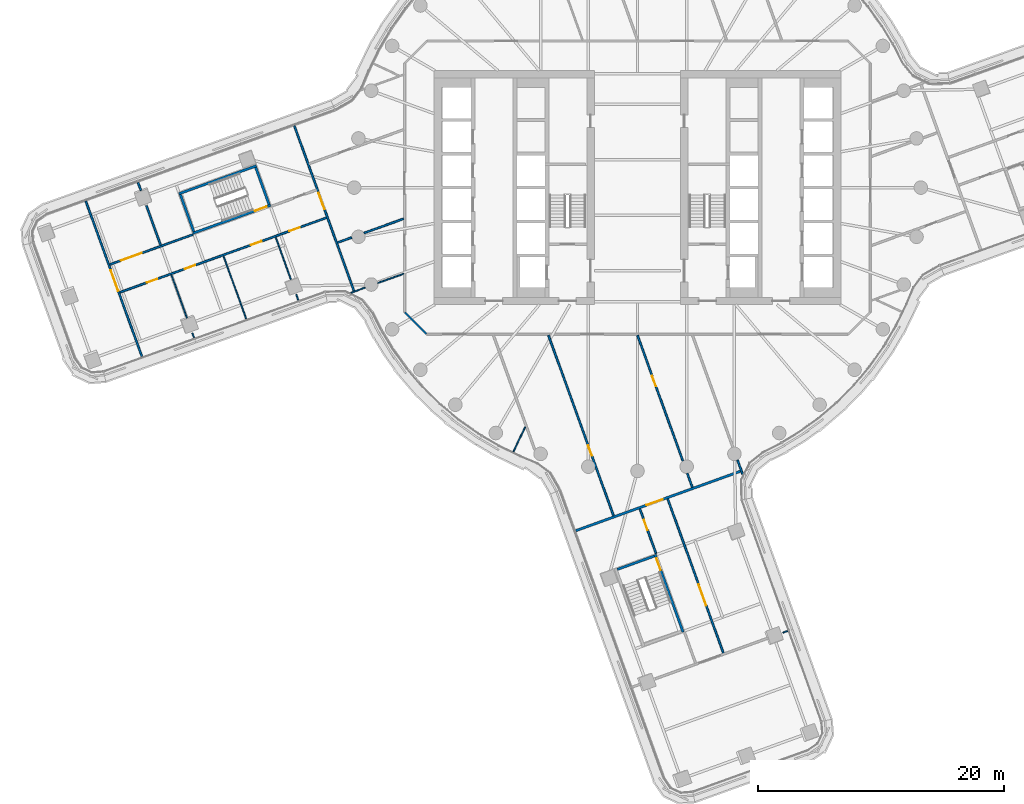
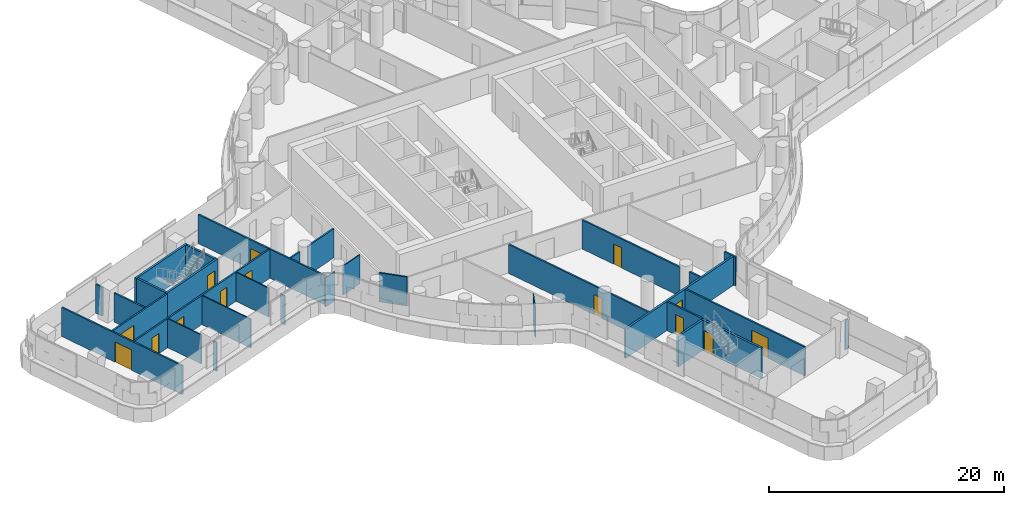
# One storey, part 18 of 30: 31 walls, 14 doors, 14 openings.
"""IFC4 building model written with IfcOpenShell, lengths in metres."""

from ifc_helpers import new_model, si_unit, direction, frame, frame_2d, origin, place, context, subcontext, project, spatial, polyline, rectangle, outline, extrude, material, layer, layer_set, type_object, element, fill, save


model = new_model("IFC4")

# Units and contexts
model_context = context("Model", 3, precision=1e-05, world=origin(), true_north=direction((0.0, 1.0)))
body_context = subcontext(model_context, "Body", "Model", "MODEL_VIEW")
ifc_project = project(units=[si_unit("LENGTHUNIT", "METRE"), si_unit("AREAUNIT", "SQUARE_METRE"), si_unit("VOLUMEUNIT", "CUBIC_METRE"), si_unit("PLANEANGLEUNIT", "RADIAN"), si_unit("MASSUNIT", "GRAM", prefix="KILO")], contexts=[model_context])

# Site, building, storey
site_placement = place(None, origin())
site = spatial("IfcSite", under=ifc_project, at=site_placement, CompositionType="ELEMENT")
building_placement = place(site_placement, origin())
building = spatial("IfcBuilding", under=site, at=building_placement, Name="Tamarind Cross Interchange Tower", CompositionType="ELEMENT")
storey_placement = place(building_placement, frame((0.0, 0.0, 106.0)))
storey = spatial("IfcBuildingStorey", under=building, at=storey_placement, Name="L25", CompositionType="ELEMENT", Elevation=106.0)

# Walls
ifc_material_1 = material(Name="Gypsum board partition on steel studs", Category="steel")
ifc_layer_1 = layer(ifc_material_1, 0.10009765625)
ifc_layer_set_1 = layer_set([ifc_layer_1], Name="Gypsum board partition on steel studs")
wall_type_1 = type_object("IfcWallType", Name="Partition 100 mm EI 90", PredefinedType="PARTITIONING", material=ifc_layer_set_1)
wall_1_placement = place(storey_placement, frame((-37.83837890625, -7.073486328125, 0.0), z_axis=(0.0, 0.0, 1.0), x_axis=(0.339623547157, -0.940561452653, 0.0)))
element("IfcWall", 1, at=wall_1_placement, inside=storey, type_object=wall_type_1, Name="Partition L25-004", PredefinedType="PARTITIONING", context=body_context, shape_type="SweptSolid", body=[
    extrude(rectangle(XDim=3.728759765625, YDim=0.10009765625, at=frame_2d((1.8642578125, 0.0))), origin(), (0.0, 0.0, 1.0), 3.010009765625),
])
wall_2_placement = place(storey_placement, frame((-36.130859375, -11.80224609375, 0.0), z_axis=(0.0, 0.0, 1.0), x_axis=(0.339248157603, -0.940696915889, 0.0)))
element("IfcWall", 2, at=wall_2_placement, inside=storey, type_object=wall_type_1, Name="Partition L25-005", PredefinedType="PARTITIONING", context=body_context, shape_type="SweptSolid", body=[
    extrude(rectangle(XDim=0.40869140625, YDim=0.10009765625, at=frame_2d((0.204345703125, 0.0))), origin(), (0.0, 0.0, 1.0), 3.010009765625),
])
wall_3_placement = place(storey_placement, frame((-33.6064453125, -5.54541015625, 0.0), z_axis=(0.0, 0.0, 1.0), x_axis=(0.339516614383, -0.940600057707, 0.0)))
element("IfcWall", 3, at=wall_3_placement, inside=storey, type_object=wall_type_1, Name="Partition L25-006", PredefinedType="PARTITIONING", context=body_context, shape_type="SweptSolid", body=[
    extrude(rectangle(XDim=5.443359375, YDim=0.10009765625, at=frame_2d((2.7216796875, 0.0))), origin(), (0.0, 0.0, 1.0), 3.010009765625),
])
wall_4_placement = place(storey_placement, frame((-29.37353515625, -4.017578125, 0.0), z_axis=(0.0, 0.0, 1.0), x_axis=(0.339511197123, -0.94060201309, 0.0)))
element("IfcWall", 4, at=wall_4_placement, inside=storey, type_object=wall_type_1, Name="Partition L25-007", PredefinedType="PARTITIONING", context=body_context, shape_type="SweptSolid", body=[
    extrude(rectangle(XDim=3.646484375, YDim=0.10009765625, at=frame_2d((1.8232421875, 0.0))), origin(), (0.0, 0.0, 1.0), 3.010009765625),
])
wall_5_placement = place(storey_placement, frame((-27.694580078125, -8.669189453125, 0.0), z_axis=(0.0, 0.0, 1.0), x_axis=(0.339061997741, -0.940764030822, 0.0)))
element("IfcWall", 5, at=wall_5_placement, inside=storey, type_object=wall_type_1, Name="Partition L25-008", PredefinedType="PARTITIONING", context=body_context, shape_type="SweptSolid", body=[
    extrude(rectangle(XDim=0.504638671875, YDim=0.10009765625, at=frame_2d((0.25244140625, 0.0))), origin(), (0.0, 0.0, 1.0), 3.010009765625),
])
wall_6_placement = place(storey_placement, frame((-23.26318359375, -8.53564453125, 0.0), z_axis=(0.0, 0.0, 1.0), x_axis=(0.940619022918, 0.339464068385, 0.0)))
element("IfcWall", 6, at=wall_6_placement, inside=storey, type_object=wall_type_1, Name="Partition L25-048", PredefinedType="PARTITIONING", context=body_context, shape_type="SweptSolid", body=[
    extrude(rectangle(XDim=1.23046875, YDim=0.10009765625, at=frame_2d((0.615234375, 0.0))), origin(), (0.0, 0.0, 1.0), 3.010009765625),
])
wall_7_placement = place(storey_placement, frame((-21.084228515625, -7.749267578125, 0.0), z_axis=(0.0, 0.0, 1.0), x_axis=(0.940645654614, 0.339390265706, 0.0)))
element("IfcWall", 7, at=wall_7_placement, inside=storey, type_object=wall_type_1, Name="Partition L25-049", PredefinedType="PARTITIONING", context=body_context, shape_type="SweptSolid", body=[
    extrude(rectangle(XDim=2.2421875, YDim=0.10009765625, at=frame_2d((1.12109375, 0.0))), origin(), (0.0, 0.0, 1.0), 3.010009765625),
])
wall_8_placement = place(storey_placement, frame((11.802734375, -36.132080078125, 0.0), z_axis=(0.0, 0.0, 1.0), x_axis=(0.940628118765, 0.339438863697, 0.0)))
element("IfcWall", 8, at=wall_8_placement, inside=storey, type_object=wall_type_1, Name="Partition L25-061", PredefinedType="PARTITIONING", context=body_context, shape_type="SweptSolid", body=[
    extrude(rectangle(XDim=0.408447265625, YDim=0.10009765625, at=frame_2d((0.2041015625, 0.0))), origin(), (0.0, 0.0, 1.0), 3.010009765625),
])
wall_9_placement = place(storey_placement, frame((-10.061279296875, -21.431884765625, 0.0), z_axis=(0.0, 0.0, 1.0), x_axis=(0.424984109226, 0.905200810265, 0.0)))
element("IfcWall", 9, at=wall_9_placement, inside=storey, type_object=wall_type_1, Name="Partition L25-073", PredefinedType="PARTITIONING", context=body_context, shape_type="SweptSolid", body=[
    extrude(rectangle(XDim=2.227783203125, YDim=0.10009765625, at=frame_2d((1.11376953125, 0.0))), origin(), (0.0, 0.0, 1.0), 3.010009765625),
])

# Wall, opening, door
ifc_layer_2 = layer(ifc_material_1, 0.14990234375)
ifc_layer_set_2 = layer_set([ifc_layer_2], Name="Gypsum board partition on steel studs")
wall_type_2 = type_object("IfcWallType", Name="Partition 150 mm EI 120", PredefinedType="PARTITIONING", material=ifc_layer_set_2)
wall_10_placement = place(storey_placement, frame((-44.77978515625, -1.10205078125, 0.0), z_axis=(0.0, 0.0, 1.0), x_axis=(0.339568816521, -0.940581213318, 0.0)))
wall_10 = element("IfcWall", 10, at=wall_10_placement, inside=storey, type_object=wall_type_2, Name="Partition L25-001", PredefinedType="PARTITIONING", context=body_context, shape_type="SweptSolid", body=[
    extrude(rectangle(XDim=13.403076171875, YDim=0.14990234375, at=frame_2d((6.70166015625, 0.0))), origin(), (0.0, 0.0, 1.0), 3.010009765625),
])
opening_1_placement = place(wall_10_placement, frame((5.948974609375, 0.0, 0.0)))
opening_1 = element("IfcOpeningElement", 11, at=opening_1_placement, cuts=wall_10, Name="Opening D01", PredefinedType="OPENING", context=body_context, shape_type="SweptSolid", body=[
    extrude(rectangle(XDim=1.800048828125, YDim=2.10009765625, at=frame_2d((0.89990234375, 1.050048828125))), frame((0.0, 0.0849609375, 0.0), z_axis=(0.0, -1.0, 0.0), x_axis=(1.0, 0.0, 0.0)), (0.0, 0.0, 1.0), 0.169921875),
])
ifc_material_2 = material(Name="Fire-resisting door set")
door_type_1 = type_object("IfcDoorType", Name="Interior door 1800 x 2100 FD60S", OperationType="DOUBLE_DOOR_SINGLE_SWING", PredefinedType="DOOR", material=ifc_material_2)
door_1_placement = place(opening_1_placement, frame((1.800048828125, 0.0, 0.0), z_axis=(0.0, 0.0, 1.0), x_axis=(-1.0, 0.0, 0.0)))
door_1 = element("IfcDoor", 12, at=door_1_placement, inside=storey, type_object=door_type_1, Name="Door D01", OperationType="DOUBLE_DOOR_SINGLE_SWING", OverallHeight=2.10009765625, OverallWidth=1.800048828125, PredefinedType="DOOR", context=body_context, shape_type="SweptSolid", body=[
    extrude(rectangle(XDim=1.800048828125, YDim=2.10009765625, at=frame_2d((0.89990234375, 1.050048828125))), frame((0.0, 0.02490234375, 0.0), z_axis=(0.0, -1.0, 0.0), x_axis=(1.0, 0.0, 0.0)), (0.0, 0.0, 1.0), 0.050048828125),
])
fill(opening_1, door_1)

# Walls
wall_11_placement = place(storey_placement, frame((-40.546630859375, 0.42626953125, 0.0), z_axis=(0.0, 0.0, 1.0), x_axis=(0.339484354538, -0.940611701513, 0.0)))
element("IfcWall", 13, at=wall_11_placement, inside=storey, type_object=wall_type_2, Name="Partition L25-002", PredefinedType="PARTITIONING", context=body_context, shape_type="SweptSolid", body=[
    extrude(rectangle(XDim=0.7119140625, YDim=0.14990234375, at=frame_2d((0.35595703125, 0.0))), origin(), (0.0, 0.0, 1.0), 3.010009765625),
])
wall_12_placement = place(storey_placement, frame((-39.86376953125, -1.465087890625, 0.0), z_axis=(0.0, 0.0, 1.0), x_axis=(0.339596938308, -0.940571060309, 0.0)))
element("IfcWall", 14, at=wall_12_placement, inside=storey, type_object=wall_type_2, Name="Partition L25-003", PredefinedType="PARTITIONING", context=body_context, shape_type="SweptSolid", body=[
    extrude(rectangle(XDim=3.408447265625, YDim=0.14990234375, at=frame_2d((1.7041015625, 0.0))), origin(), (0.0, 0.0, 1.0), 3.010009765625),
])

# Wall, opening, door
wall_13_placement = place(storey_placement, frame((-27.848876953125, 5.010498046875, 0.0), z_axis=(0.0, 0.0, 1.0), x_axis=(0.339486516138, -0.940610921349, 0.0)))
wall_13 = element("IfcWall", 15, at=wall_13_placement, inside=storey, type_object=wall_type_2, Name="Partition L25-009", PredefinedType="PARTITIONING", context=body_context, shape_type="SweptSolid", body=[
    extrude(rectangle(XDim=14.244140625, YDim=0.14990234375, at=frame_2d((7.1220703125, 0.0))), origin(), (0.0, 0.0, 1.0), 3.010009765625),
])
opening_2_placement = place(wall_13_placement, frame((5.79931640625, 0.0, 0.0)))
opening_2 = element("IfcOpeningElement", 16, at=opening_2_placement, cuts=wall_13, Name="Opening D02", PredefinedType="OPENING", context=body_context, shape_type="SweptSolid", body=[
    extrude(rectangle(XDim=1.39990234375, YDim=2.10009765625, at=frame_2d((0.699951171875, 1.050048828125))), frame((0.0, 0.0849609375, 0.0), z_axis=(0.0, -1.0, 0.0), x_axis=(1.0, 0.0, 0.0)), (0.0, 0.0, 1.0), 0.169921875),
])
door_type_2 = type_object("IfcDoorType", Name="Interior door 1400 x 2100 FD60S", OperationType="DOUBLE_DOOR_SINGLE_SWING", PredefinedType="DOOR", material=ifc_material_2)
door_2_placement = place(opening_2_placement, origin())
door_2 = element("IfcDoor", 17, at=door_2_placement, inside=storey, type_object=door_type_2, Name="Door D02", OperationType="DOUBLE_DOOR_SINGLE_SWING", OverallHeight=2.10009765625, OverallWidth=1.39990234375, PredefinedType="DOOR", context=body_context, shape_type="SweptSolid", body=[
    extrude(rectangle(XDim=1.39990234375, YDim=2.10009765625, at=frame_2d((0.699951171875, 1.050048828125))), frame((0.0, 0.02490234375, 0.0), z_axis=(0.0, -1.0, 0.0), x_axis=(1.0, 0.0, 0.0)), (0.0, 0.0, 1.0), 0.050048828125),
])
fill(opening_2, door_2)

wall_14_placement = place(storey_placement, frame((-7.23046875, -11.984619140625, 0.0), z_axis=(0.0, 0.0, 1.0), x_axis=(0.339539694363, -0.940591726495, 0.0)))
wall_14 = element("IfcWall", 18, at=wall_14_placement, inside=storey, type_object=wall_type_2, Name="Partition L25-014", PredefinedType="PARTITIONING", context=body_context, shape_type="SweptSolid", body=[
    extrude(rectangle(XDim=15.57568359375, YDim=0.14990234375, at=frame_2d((7.787841796875, 0.0))), origin(), (0.0, 0.0, 1.0), 3.010009765625),
])
opening_3_placement = place(wall_14_placement, frame((9.510009765625, 0.0, 0.0)))
opening_3 = element("IfcOpeningElement", 19, at=opening_3_placement, cuts=wall_14, Name="Opening D03", PredefinedType="OPENING", context=body_context, shape_type="SweptSolid", body=[
    extrude(rectangle(XDim=0.89990234375, YDim=2.10009765625, at=frame_2d((0.449951171875, 1.050048828125))), frame((0.0, 0.0849609375, 0.0), z_axis=(0.0, -1.0, 0.0), x_axis=(1.0, 0.0, 0.0)), (0.0, 0.0, 1.0), 0.169921875),
])
door_type_3 = type_object("IfcDoorType", Name="Interior door 900 x 2100 FD60S", OperationType="SINGLE_SWING_LEFT", PredefinedType="DOOR", material=ifc_material_2)
door_3_placement = place(opening_3_placement, frame((0.89990234375, 0.0, 0.0), z_axis=(0.0, 0.0, 1.0), x_axis=(-1.0, 0.0, 0.0)))
door_3 = element("IfcDoor", 20, at=door_3_placement, inside=storey, type_object=door_type_3, Name="Door D03", OperationType="SINGLE_SWING_RIGHT", OverallHeight=2.10009765625, OverallWidth=0.89990234375, PredefinedType="DOOR", context=body_context, shape_type="SweptSolid", body=[
    extrude(rectangle(XDim=0.89990234375, YDim=2.10009765625, at=frame_2d((0.449951171875, 1.050048828125))), frame((0.0, 0.02490234375, 0.0), z_axis=(0.0, -1.0, 0.0), x_axis=(1.0, 0.0, 0.0)), (0.0, 0.0, 1.0), 0.050048828125),
])
fill(opening_3, door_3)

wall_15_placement = place(storey_placement, frame((-0.00146484375, -11.984619140625, 0.0), z_axis=(0.0, 0.0, 1.0), x_axis=(0.339584222286, -0.940575651383, 0.0)))
wall_15 = element("IfcWall", 21, at=wall_15_placement, inside=storey, type_object=wall_type_2, Name="Partition L25-020", PredefinedType="PARTITIONING", context=body_context, shape_type="SweptSolid", body=[
    extrude(rectangle(XDim=10.855224609375, YDim=0.14990234375, at=frame_2d((5.427734375, 0.0))), origin(), (0.0, 0.0, 1.0), 3.010009765625),
])
opening_4_placement = place(wall_15_placement, frame((3.510009765625, 0.0, 0.0)))
opening_4 = element("IfcOpeningElement", 22, at=opening_4_placement, cuts=wall_15, Name="Opening D10", PredefinedType="OPENING", context=body_context, shape_type="SweptSolid", body=[
    extrude(rectangle(XDim=0.89990234375, YDim=2.10009765625, at=frame_2d((0.449951171875, 1.050048828125))), frame((0.0, 0.0849609375, 0.0), z_axis=(0.0, -1.0, 0.0), x_axis=(1.0, 0.0, 0.0)), (0.0, 0.0, 1.0), 0.169921875),
])
door_4_placement = place(opening_4_placement, origin())
door_4 = element("IfcDoor", 23, at=door_4_placement, inside=storey, type_object=door_type_3, Name="Door D10", OperationType="SINGLE_SWING_RIGHT", OverallHeight=2.10009765625, OverallWidth=0.89990234375, PredefinedType="DOOR", context=body_context, shape_type="SweptSolid", body=[
    extrude(rectangle(XDim=0.89990234375, YDim=2.10009765625, at=frame_2d((0.449951171875, 1.050048828125))), frame((0.0, 0.02490234375, 0.0), z_axis=(0.0, -1.0, 0.0), x_axis=(1.0, 0.0, 0.0)), (0.0, 0.0, 1.0), 0.050048828125),
])
fill(opening_4, door_4)

# Wall
wall_16_placement = place(storey_placement, frame((4.04638671875, -23.196533203125, 0.0), z_axis=(0.0, 0.0, 1.0), x_axis=(0.339554526874, -0.940586372046, 0.0)))
element("IfcWall", 24, at=wall_16_placement, inside=storey, type_object=wall_type_2, Name="Partition L25-021", PredefinedType="PARTITIONING", context=body_context, shape_type="SweptSolid", body=[
    extrude(rectangle(XDim=1.20068359375, YDim=0.14990234375, at=frame_2d((0.600341796875, 0.0))), origin(), (0.0, 0.0, 1.0), 3.010009765625),
])

# Wall, opening, door
wall_17_placement = place(storey_placement, frame((0.196044921875, -26.076171875, 0.0), z_axis=(0.0, 0.0, 1.0), x_axis=(0.339512328503, -0.940601604716, 0.0)))
wall_17 = element("IfcWall", 25, at=wall_17_placement, inside=storey, type_object=wall_type_2, Name="Partition L25-022", PredefinedType="PARTITIONING", context=body_context, shape_type="SweptSolid", body=[
    extrude(rectangle(XDim=3.859375, YDim=0.14990234375, at=frame_2d((1.9296875, 0.0))), origin(), (0.0, 0.0, 1.0), 3.010009765625),
])
opening_5_placement = place(wall_17_placement, frame((0.949951171875, 0.0, 0.0)))
opening_5 = element("IfcOpeningElement", 26, at=opening_5_placement, cuts=wall_17, Name="Opening D11", PredefinedType="OPENING", context=body_context, shape_type="SweptSolid", body=[
    extrude(rectangle(XDim=0.89990234375, YDim=2.10009765625, at=frame_2d((0.449951171875, 1.050048828125))), frame((0.0, 0.0849609375, 0.0), z_axis=(0.0, -1.0, 0.0), x_axis=(1.0, 0.0, 0.0)), (0.0, 0.0, 1.0), 0.169921875),
])
door_5_placement = place(opening_5_placement, frame((0.89990234375, 0.0, 0.0), z_axis=(0.0, 0.0, 1.0), x_axis=(-1.0, 0.0, 0.0)))
door_5 = element("IfcDoor", 27, at=door_5_placement, inside=storey, type_object=door_type_3, Name="Door D11", OperationType="SINGLE_SWING_LEFT", OverallHeight=2.10009765625, OverallWidth=0.89990234375, PredefinedType="DOOR", context=body_context, shape_type="SweptSolid", body=[
    extrude(rectangle(XDim=0.89990234375, YDim=2.10009765625, at=frame_2d((0.449951171875, 1.050048828125))), frame((0.0, 0.02490234375, 0.0), z_axis=(0.0, -1.0, 0.0), x_axis=(1.0, 0.0, 0.0)), (0.0, 0.0, 1.0), 0.050048828125),
])
fill(opening_5, door_5)

wall_18_placement = place(storey_placement, frame((2.45458984375, -25.265869140625, 0.0), z_axis=(0.0, 0.0, 1.0), x_axis=(0.339584555369, -0.940575531127, 0.0)))
wall_18 = element("IfcWall", 28, at=wall_18_placement, inside=storey, type_object=wall_type_2, Name="Partition L25-025", PredefinedType="PARTITIONING", context=body_context, shape_type="SweptSolid", body=[
    extrude(rectangle(XDim=13.319091796875, YDim=0.14990234375, at=frame_2d((6.65966796875, 0.0))), origin(), (0.0, 0.0, 1.0), 3.010009765625),
])
opening_6_placement = place(wall_18_placement, frame((7.39501953125, 0.0, 0.0)))
opening_6 = element("IfcOpeningElement", 29, at=opening_6_placement, cuts=wall_18, Name="Opening D13", PredefinedType="OPENING", context=body_context, shape_type="SweptSolid", body=[
    extrude(rectangle(XDim=1.800048828125, YDim=2.10009765625, at=frame_2d((0.89990234375, 1.050048828125))), frame((0.0, 0.0849609375, 0.0), z_axis=(0.0, -1.0, 0.0), x_axis=(1.0, 0.0, 0.0)), (0.0, 0.0, 1.0), 0.169921875),
])
door_6_placement = place(opening_6_placement, frame((1.800048828125, 0.0, 0.0), z_axis=(0.0, 0.0, 1.0), x_axis=(-1.0, 0.0, 0.0)))
door_6 = element("IfcDoor", 30, at=door_6_placement, inside=storey, type_object=door_type_1, Name="Door D13", OperationType="DOUBLE_DOOR_SINGLE_SWING", OverallHeight=2.10009765625, OverallWidth=1.800048828125, PredefinedType="DOOR", context=body_context, shape_type="SweptSolid", body=[
    extrude(rectangle(XDim=1.800048828125, YDim=2.10009765625, at=frame_2d((0.89990234375, 1.050048828125))), frame((0.0, 0.02490234375, 0.0), z_axis=(0.0, -1.0, 0.0), x_axis=(1.0, 0.0, 0.0)), (0.0, 0.0, 1.0), 0.050048828125),
])
fill(opening_6, door_6)

# Walls
wall_19_placement = place(storey_placement, frame((8.118408203125, -22.10546875, 0.0), z_axis=(0.0, 0.0, 1.0), x_axis=(0.339654219986, -0.940550376559, 0.0)))
element("IfcWall", 31, at=wall_19_placement, inside=storey, type_object=wall_type_2, Name="Partition L25-028", PredefinedType="PARTITIONING", context=body_context, shape_type="SweptSolid", body=[
    extrude(rectangle(XDim=1.229736328125, YDim=0.14990234375, at=frame_2d((0.61474609375, 0.0))), origin(), (0.0, 0.0, 1.0), 3.010009765625),
])
wall_20_placement = place(storey_placement, frame((-18.87158203125, -10.12841796875, 0.0), z_axis=(0.0, 0.0, 1.0), x_axis=(0.707106781187, -0.707106781187, 0.0)))
element("IfcWall", 32, at=wall_20_placement, inside=storey, type_object=wall_type_2, Name="Partition L25-036", PredefinedType="PARTITIONING", context=body_context, shape_type="SweptSolid", body=[
    extrude(rectangle(XDim=2.465087890625, YDim=0.14990234375, at=frame_2d((1.232421875, 0.0))), origin(), (0.0, 0.0, 1.0), 3.010009765625),
])

# Wall, opening, door
wall_21_placement = place(storey_placement, frame((-42.841552734375, -6.24853515625, 0.0), z_axis=(0.0, 0.0, 1.0), x_axis=(0.940585555653, 0.339556788325, 0.0)))
wall_21 = element("IfcWall", 33, at=wall_21_placement, inside=storey, type_object=wall_type_2, Name="Partition L25-042", PredefinedType="PARTITIONING", context=body_context, shape_type="SweptSolid", body=[
    extrude(rectangle(XDim=7.18505859375, YDim=0.14990234375, at=frame_2d((3.592529296875, 0.0))), origin(), (0.0, 0.0, 1.0), 3.010009765625),
])
opening_7_placement = place(wall_21_placement, frame((0.97509765625, 0.0, 0.0)))
opening_7 = element("IfcOpeningElement", 34, at=opening_7_placement, cuts=wall_21, Name="Opening D23", PredefinedType="OPENING", context=body_context, shape_type="SweptSolid", body=[
    extrude(rectangle(XDim=1.800048828125, YDim=2.10009765625, at=frame_2d((0.89990234375, 1.050048828125))), frame((0.0, 0.0849609375, 0.0), z_axis=(0.0, -1.0, 0.0), x_axis=(1.0, 0.0, 0.0)), (0.0, 0.0, 1.0), 0.169921875),
])
door_7_placement = place(opening_7_placement, origin())
door_7 = element("IfcDoor", 35, at=door_7_placement, inside=storey, type_object=door_type_1, Name="Door D23", OperationType="DOUBLE_DOOR_SINGLE_SWING", OverallHeight=2.10009765625, OverallWidth=1.800048828125, PredefinedType="DOOR", context=body_context, shape_type="SweptSolid", body=[
    extrude(rectangle(XDim=1.800048828125, YDim=2.10009765625, at=frame_2d((0.89990234375, 1.050048828125))), frame((0.0, 0.02490234375, 0.0), z_axis=(0.0, -1.0, 0.0), x_axis=(1.0, 0.0, 0.0)), (0.0, 0.0, 1.0), 0.050048828125),
])
fill(opening_7, door_7)

# Wall, openings, doors
wall_22_placement = place(storey_placement, frame((-42.026611328125, -8.506591796875, 0.0), z_axis=(0.0, 0.0, 1.0), x_axis=(0.940523059572, 0.33972985505, 0.0)))
wall_22 = element("IfcWall", 36, at=wall_22_placement, inside=storey, type_object=wall_type_2, Name="Partition L25-044", PredefinedType="PARTITIONING", context=body_context, shape_type="SweptSolid", body=[
    extrude(rectangle(XDim=17.844970703125, YDim=0.14990234375, at=frame_2d((8.92236328125, 0.0))), origin(), (0.0, 0.0, 1.0), 3.010009765625),
])
opening_8_placement = place(wall_22_placement, frame((14.62548828125, 0.0, 0.0)))
opening_8 = element("IfcOpeningElement", 37, at=opening_8_placement, cuts=wall_22, Name="Opening D25", PredefinedType="OPENING", context=body_context, shape_type="SweptSolid", body=[
    extrude(rectangle(XDim=0.89990234375, YDim=2.10009765625, at=frame_2d((0.449951171875, 1.050048828125))), frame((0.0, 0.0849609375, 0.0), z_axis=(0.0, -1.0, 0.0), x_axis=(1.0, 0.0, 0.0)), (0.0, 0.0, 1.0), 0.169921875),
])
opening_9_placement = place(wall_22_placement, frame((11.3251953125, 0.0, 0.0)))
opening_9 = element("IfcOpeningElement", 38, at=opening_9_placement, cuts=wall_22, Name="Opening D26", PredefinedType="OPENING", context=body_context, shape_type="SweptSolid", body=[
    extrude(rectangle(XDim=0.89990234375, YDim=2.10009765625, at=frame_2d((0.449951171875, 1.050048828125))), frame((0.0, 0.0849609375, 0.0), z_axis=(0.0, -1.0, 0.0), x_axis=(1.0, 0.0, 0.0)), (0.0, 0.0, 1.0), 0.169921875),
])
opening_10_placement = place(wall_22_placement, frame((5.625732421875, 0.0, 0.0)))
opening_10 = element("IfcOpeningElement", 39, at=opening_10_placement, cuts=wall_22, Name="Opening D27", PredefinedType="OPENING", context=body_context, shape_type="SweptSolid", body=[
    extrude(rectangle(XDim=0.89990234375, YDim=2.10009765625, at=frame_2d((0.449951171875, 1.050048828125))), frame((0.0, 0.0849609375, 0.0), z_axis=(0.0, -1.0, 0.0), x_axis=(1.0, 0.0, 0.0)), (0.0, 0.0, 1.0), 0.169921875),
])
opening_11_placement = place(wall_22_placement, frame((2.324951171875, 0.0, 0.0)))
opening_11 = element("IfcOpeningElement", 40, at=opening_11_placement, cuts=wall_22, Name="Opening D28", PredefinedType="OPENING", context=body_context, shape_type="SweptSolid", body=[
    extrude(rectangle(XDim=0.89990234375, YDim=2.10009765625, at=frame_2d((0.449951171875, 1.050048828125))), frame((0.0, 0.0849609375, 0.0), z_axis=(0.0, -1.0, 0.0), x_axis=(1.0, 0.0, 0.0)), (0.0, 0.0, 1.0), 0.169921875),
])
door_8_placement = place(opening_8_placement, frame((0.89990234375, 0.0, 0.0), z_axis=(0.0, 0.0, 1.0), x_axis=(-1.0, 0.0, 0.0)))
door_8 = element("IfcDoor", 41, at=door_8_placement, inside=storey, type_object=door_type_3, Name="Door D25", OperationType="SINGLE_SWING_RIGHT", OverallHeight=2.10009765625, OverallWidth=0.89990234375, PredefinedType="DOOR", context=body_context, shape_type="SweptSolid", body=[
    extrude(rectangle(XDim=0.89990234375, YDim=2.10009765625, at=frame_2d((0.449951171875, 1.050048828125))), frame((0.0, 0.02490234375, 0.0), z_axis=(0.0, -1.0, 0.0), x_axis=(1.0, 0.0, 0.0)), (0.0, 0.0, 1.0), 0.050048828125),
])
fill(opening_8, door_8)
door_9_placement = place(opening_9_placement, frame((0.89990234375, 0.0, 0.0), z_axis=(0.0, 0.0, 1.0), x_axis=(-1.0, 0.0, 0.0)))
door_9 = element("IfcDoor", 42, at=door_9_placement, inside=storey, type_object=door_type_3, Name="Door D26", OperationType="SINGLE_SWING_RIGHT", OverallHeight=2.10009765625, OverallWidth=0.89990234375, PredefinedType="DOOR", context=body_context, shape_type="SweptSolid", body=[
    extrude(rectangle(XDim=0.89990234375, YDim=2.10009765625, at=frame_2d((0.449951171875, 1.050048828125))), frame((0.0, 0.02490234375, 0.0), z_axis=(0.0, -1.0, 0.0), x_axis=(1.0, 0.0, 0.0)), (0.0, 0.0, 1.0), 0.050048828125),
])
fill(opening_9, door_9)
door_10_placement = place(opening_10_placement, frame((0.89990234375, 0.0, 0.0), z_axis=(0.0, 0.0, 1.0), x_axis=(-1.0, 0.0, 0.0)))
door_10 = element("IfcDoor", 43, at=door_10_placement, inside=storey, type_object=door_type_3, Name="Door D27", OperationType="SINGLE_SWING_LEFT", OverallHeight=2.10009765625, OverallWidth=0.89990234375, PredefinedType="DOOR", context=body_context, shape_type="SweptSolid", body=[
    extrude(rectangle(XDim=0.89990234375, YDim=2.10009765625, at=frame_2d((0.449951171875, 1.050048828125))), frame((0.0, 0.02490234375, 0.0), z_axis=(0.0, -1.0, 0.0), x_axis=(1.0, 0.0, 0.0)), (0.0, 0.0, 1.0), 0.050048828125),
])
fill(opening_10, door_10)
door_11_placement = place(opening_11_placement, frame((0.89990234375, 0.0, 0.0), z_axis=(0.0, 0.0, 1.0), x_axis=(-1.0, 0.0, 0.0)))
door_11 = element("IfcDoor", 44, at=door_11_placement, inside=storey, type_object=door_type_3, Name="Door D28", OperationType="SINGLE_SWING_LEFT", OverallHeight=2.10009765625, OverallWidth=0.89990234375, PredefinedType="DOOR", context=body_context, shape_type="SweptSolid", body=[
    extrude(rectangle(XDim=0.89990234375, YDim=2.10009765625, at=frame_2d((0.449951171875, 1.050048828125))), frame((0.0, 0.02490234375, 0.0), z_axis=(0.0, -1.0, 0.0), x_axis=(1.0, 0.0, 0.0)), (0.0, 0.0, 1.0), 0.050048828125),
])
fill(opening_11, door_11)

# Walls
wall_23_placement = place(storey_placement, frame((-24.349609375, -4.46240234375, 0.0), z_axis=(0.0, 0.0, 1.0), x_axis=(0.940651064029, 0.33937527273, 0.0)))
element("IfcWall", 45, at=wall_23_placement, inside=storey, type_object=wall_type_2, Name="Partition L25-046", PredefinedType="PARTITIONING", context=body_context, shape_type="SweptSolid", body=[
    extrude(rectangle(XDim=1.225830078125, YDim=0.14990234375, at=frame_2d((0.61279296875, 0.0))), origin(), (0.0, 0.0, 1.0), 3.010009765625),
])
wall_24_placement = place(storey_placement, frame((-22.194580078125, -3.684814453125, 0.0), z_axis=(0.0, 0.0, 1.0), x_axis=(0.94064274641, 0.339398325903, 0.0)))
element("IfcWall", 46, at=wall_24_placement, inside=storey, type_object=wall_type_2, Name="Partition L25-047", PredefinedType="PARTITIONING", context=body_context, shape_type="SweptSolid", body=[
    extrude(rectangle(XDim=3.41259765625, YDim=0.14990234375, at=frame_2d((1.706298828125, 0.0))), origin(), (0.0, 0.0, 1.0), 3.010009765625),
])

# Wall, opening, door
ifc_layer_3 = layer(ifc_material_1, 0.199951171875)
ifc_layer_set_3 = layer_set([ifc_layer_3], Name="Gypsum board partition on steel studs")
wall_type_3 = type_object("IfcWallType", Name="Partition 200 mm EI 180", PredefinedType="PARTITIONING", material=ifc_layer_set_3)
wall_25_placement = place(storey_placement, frame((-5.010498046875, -27.848876953125, 0.0), z_axis=(0.0, 0.0, 1.0), x_axis=(0.940612067166, 0.33948334142, 0.0)))
wall_25 = element("IfcWall", 47, at=wall_25_placement, inside=storey, type_object=wall_type_3, Name="Partition L25-056", PredefinedType="PARTITIONING", context=body_context, shape_type="SweptSolid", body=[
    extrude(rectangle(XDim=14.22412109375, YDim=0.199951171875, at=frame_2d((7.112060546875, 0.0))), origin(), (0.0, 0.0, 1.0), 3.010009765625),
])
opening_12_placement = place(wall_25_placement, frame((6.09912109375, 0.0, 0.0)))
opening_12 = element("IfcOpeningElement", 48, at=opening_12_placement, cuts=wall_25, Name="Opening D32", PredefinedType="OPENING", context=body_context, shape_type="SweptSolid", body=[
    extrude(rectangle(XDim=1.39990234375, YDim=2.10009765625, at=frame_2d((0.699951171875, 1.050048828125))), frame((0.0, 0.10986328125, 0.0), z_axis=(0.0, -1.0, 0.0), x_axis=(1.0, 0.0, 0.0)), (0.0, 0.0, 1.0), 0.219970703125),
])
door_type_4 = type_object("IfcDoorType", Name="Interior door 1400 x 2100 FD120S", OperationType="DOUBLE_DOOR_SINGLE_SWING", PredefinedType="DOOR", material=ifc_material_2)
door_12_placement = place(opening_12_placement, origin())
door_12 = element("IfcDoor", 49, at=door_12_placement, inside=storey, type_object=door_type_4, Name="Door D32", OperationType="DOUBLE_DOOR_SINGLE_SWING", OverallHeight=2.10009765625, OverallWidth=1.39990234375, PredefinedType="DOOR", context=body_context, shape_type="SweptSolid", body=[
    extrude(rectangle(XDim=1.39990234375, YDim=2.10009765625, at=frame_2d((0.699951171875, 1.050048828125))), frame((0.0, 0.02490234375, 0.0), z_axis=(0.0, -1.0, 0.0), x_axis=(1.0, 0.0, 0.0)), (0.0, 0.0, 1.0), 0.050048828125),
])
fill(opening_12, door_12)

ifc_material_3 = material(Name="Concrete C40", Category="concrete")
ifc_layer_4 = layer(ifc_material_3, 0.199951171875)
ifc_layer_set_4 = layer_set([ifc_layer_4], Name="Concrete C40")
wall_type_4 = type_object("IfcWallType", Name="Stair shaft wall 200 mm Concrete C40", PredefinedType="SHEAR", material=ifc_layer_set_4)
wall_26_placement = place(storey_placement, frame((-29.778076171875, -1.426025390625, -0.139892578125), z_axis=(0.0, 0.0, 1.0), x_axis=(-0.940577178985, -0.339579991126, 0.0)))
wall_26 = element("IfcWall", 50, at=wall_26_placement, inside=storey, type_object=wall_type_4, Name="Core wall CWL-L25-ST5-H", PredefinedType="SHEAR", context=body_context, shape_type="SweptSolid", body=[
    extrude(rectangle(XDim=6.699951171875, YDim=0.199951171875, at=frame_2d((3.35009765625, 0.0))), origin(), (0.0, 0.0, 1.0), 3.14990234375),
])
opening_13_placement = place(wall_26_placement, frame((0.35009765625, 0.0, 0.0)))
opening_13 = element("IfcOpeningElement", 51, at=opening_13_placement, cuts=wall_26, Name="Opening ST5L25", PredefinedType="OPENING", context=body_context, shape_type="SweptSolid", body=[
    extrude(rectangle(XDim=1.0, YDim=2.10009765625, at=frame_2d((0.5, 1.050048828125))), frame((0.0, 0.10986328125, 0.0), z_axis=(0.0, -1.0, 0.0), x_axis=(1.0, 0.0, 0.0)), (0.0, 0.0, 1.0), 0.219970703125),
])
ifc_material_4 = material(Name="Steel, fire-resisting", Category="steel")
door_type_5 = type_object("IfcDoorType", Name="Core fire door 1000 x 2100 FD90", OperationType="SINGLE_SWING_LEFT", PredefinedType="DOOR", material=ifc_material_4)
door_13_placement = place(opening_13_placement, origin())
door_13 = element("IfcDoor", 52, at=door_13_placement, inside=storey, type_object=door_type_5, Name="L25 stair door ST5", OperationType="SINGLE_SWING_LEFT", OverallHeight=2.10009765625, OverallWidth=1.0, PredefinedType="DOOR", context=body_context, shape_type="SweptSolid", body=[
    extrude(rectangle(XDim=1.0, YDim=2.10009765625, at=frame_2d((0.5, 1.050048828125))), frame((0.0, 0.02490234375, 0.0), z_axis=(0.0, -1.0, 0.0), x_axis=(1.0, 0.0, 0.0)), (0.0, 0.0, 1.0), 0.050048828125),
])
fill(opening_13, door_13)

# Walls
wall_27_placement = place(storey_placement, frame((-30.9326171875, 1.77197265625, -0.139892578125), z_axis=(0.0, 0.0, 1.0), x_axis=(-0.940577178985, -0.339579991126, 0.0)))
element("IfcWall", 53, at=wall_27_placement, inside=storey, type_object=wall_type_4, Name="Core wall CWL-L25-ST5-C", PredefinedType="SHEAR", context=body_context, shape_type="SweptSolid", body=[
    extrude(rectangle(XDim=6.699951171875, YDim=0.199951171875, at=frame_2d((3.35009765625, 0.0))), origin(), (0.0, 0.0, 1.0), 3.14990234375),
])
wall_28_placement = place(storey_placement, frame((-30.99267578125, 1.64404296875, -0.139892578125), z_axis=(0.0, 0.0, 1.0), x_axis=(0.339567599634, -0.940581652638, 0.0)))
element("IfcWall", 54, at=wall_28_placement, inside=storey, type_object=wall_type_4, Name="Core wall CWL-L25-ST5-CE", PredefinedType="SHEAR", context=body_context, shape_type="SweptSolid", body=[
    extrude(rectangle(XDim=3.2001953125, YDim=0.199951171875, at=frame_2d((1.60009765625, 0.0))), origin(), (0.0, 0.0, 1.0), 3.14990234375),
])
wall_29_placement = place(storey_placement, frame((0.0, 0.0, -0.139892578125)))
element("IfcWall", 55, at=wall_29_placement, inside=storey, type_object=wall_type_4, Name="Core wall CWL-L25-ST5-CF", PredefinedType="SHEAR", context=body_context, shape_type="SweptSolid", body=[
    extrude(outline(polyline([(-37.01220703125, -0.529296875), (-37.200439453125, -0.59716796875), (-36.11376953125, -3.607177734375), (-35.92578125, -3.539306640625), (-37.01220703125, -0.529296875)])), origin(), (0.0, 0.0, 1.0), 3.14990234375),
])

# Wall, opening, door
wall_30_placement = place(storey_placement, frame((1.426025390625, -29.778076171875, -0.139892578125), z_axis=(0.0, 0.0, 1.0), x_axis=(0.339579991126, -0.940577178985, 0.0)))
wall_30 = element("IfcWall", 56, at=wall_30_placement, inside=storey, type_object=wall_type_4, Name="Core wall CWL-L25-ST6-H", PredefinedType="SHEAR", context=body_context, shape_type="SweptSolid", body=[
    extrude(rectangle(XDim=6.699951171875, YDim=0.199951171875, at=frame_2d((3.35009765625, 0.0))), origin(), (0.0, 0.0, 1.0), 3.14990234375),
])
opening_14_placement = place(wall_30_placement, frame((0.35009765625, 0.0, 0.0)))
opening_14 = element("IfcOpeningElement", 57, at=opening_14_placement, cuts=wall_30, Name="Opening ST6L25", PredefinedType="OPENING", context=body_context, shape_type="SweptSolid", body=[
    extrude(rectangle(XDim=1.0, YDim=2.10009765625, at=frame_2d((0.5, 1.050048828125))), frame((0.0, 0.10986328125, 0.0), z_axis=(0.0, -1.0, 0.0), x_axis=(1.0, 0.0, 0.0)), (0.0, 0.0, 1.0), 0.219970703125),
])
door_14_placement = place(opening_14_placement, origin())
door_14 = element("IfcDoor", 58, at=door_14_placement, inside=storey, type_object=door_type_5, Name="L25 stair door ST6", OperationType="SINGLE_SWING_LEFT", OverallHeight=2.10009765625, OverallWidth=1.0, PredefinedType="DOOR", context=body_context, shape_type="SweptSolid", body=[
    extrude(rectangle(XDim=1.0, YDim=2.10009765625, at=frame_2d((0.5, 1.050048828125))), frame((0.0, 0.02490234375, 0.0), z_axis=(0.0, -1.0, 0.0), x_axis=(1.0, 0.0, 0.0)), (0.0, 0.0, 1.0), 0.050048828125),
])
fill(opening_14, door_14)

# Wall
wall_31_placement = place(storey_placement, frame((-1.64404296875, -30.99267578125, -0.139892578125), z_axis=(0.0, 0.0, 1.0), x_axis=(0.940581652638, 0.339567599634, 0.0)))
element("IfcWall", 59, at=wall_31_placement, inside=storey, type_object=wall_type_4, Name="Core wall CWL-L25-ST6-CE", PredefinedType="SHEAR", context=body_context, shape_type="SweptSolid", body=[
    extrude(rectangle(XDim=3.2001953125, YDim=0.199951171875, at=frame_2d((1.60009765625, 0.0))), origin(), (0.0, 0.0, 1.0), 3.14990234375),
])

save(model, "model.ifc")
